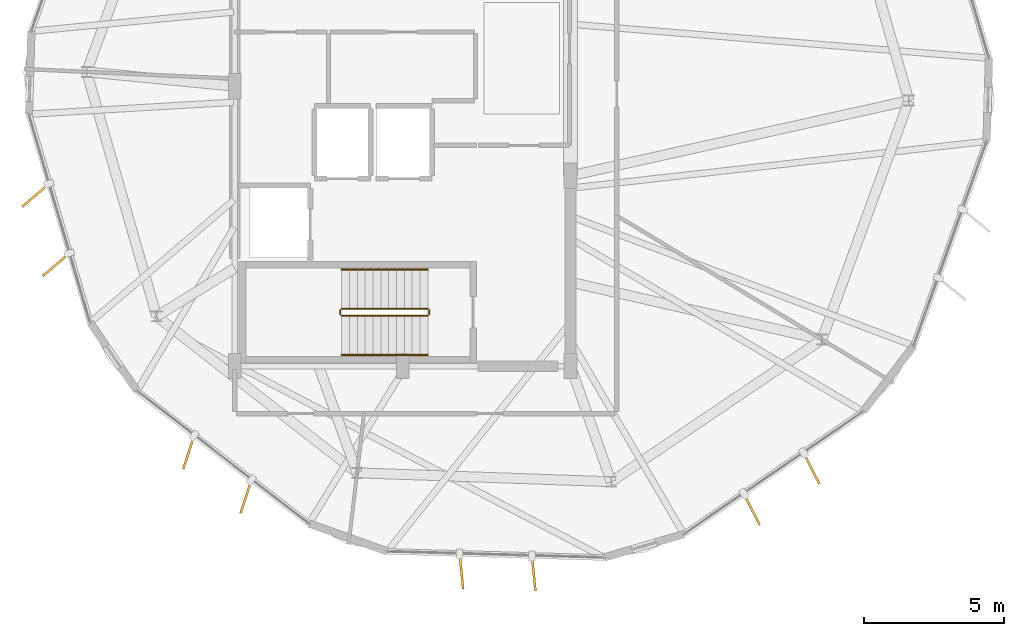
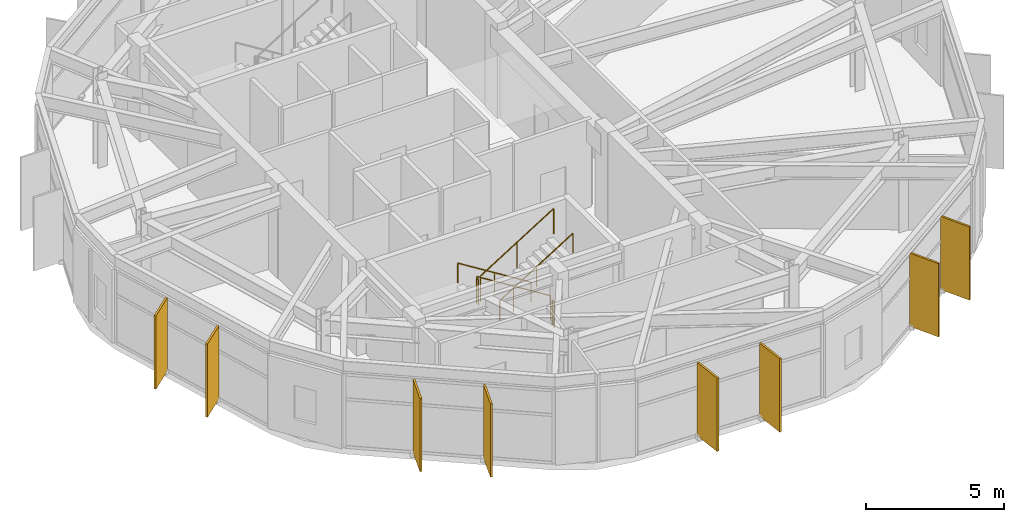
# One storey, part 18 of 20: 8 shading devices, 6 railings.
"""IFC4 building model written with IfcOpenShell, lengths in metres."""

from ifc_helpers import new_model, si_unit, direction, frame, origin, origin_2d, place, context, subcontext, project, spatial, rectangle, circle, extrude, material, layer, layer_set, type_object, element, save


model = new_model("IFC4")

# Units and contexts
model_context = context("Model", 3, precision=1e-05, world=origin(), true_north=direction((0.0, 1.0)))
body_context = subcontext(model_context, "Body", "Model", "MODEL_VIEW")
ifc_project = project(units=[si_unit("LENGTHUNIT", "METRE"), si_unit("AREAUNIT", "SQUARE_METRE"), si_unit("VOLUMEUNIT", "CUBIC_METRE"), si_unit("PLANEANGLEUNIT", "RADIAN"), si_unit("MASSUNIT", "GRAM", prefix="KILO")], contexts=[model_context])

# Site, building, storey
site_placement = place(None, origin())
site = spatial("IfcSite", under=ifc_project, at=site_placement, CompositionType="ELEMENT")
building_placement = place(site_placement, origin())
building = spatial("IfcBuilding", under=site, at=building_placement, Name="Soratama Intermodal Tower", CompositionType="ELEMENT")
storey_placement = place(building_placement, frame((0.0, 0.0, 293.050048828125)))
storey = spatial("IfcBuildingStorey", under=building, at=storey_placement, Name="L74", CompositionType="ELEMENT", Elevation=293.050048828125)

# Railings
ifc_material_1 = material(Name="Painted steel stair guardrail", Category="steel")
railing_type_1 = type_object("IfcRailingType", Name="RL-STAIR-GUARD", PredefinedType="GUARDRAIL", material=ifc_material_1)
railing_1_placement = place(storey_placement, frame((39.5, 17.050048828125, 0.175048828125)))
element("IfcRailing", 1, at=railing_1_placement, inside=storey, type_object=railing_type_1, Name="L74 ST-1 stair guard 1", PredefinedType="GUARDRAIL", context=body_context, shape_type="SweptSolid", body=[
    extrude(circle(Radius=0.02392578125, at=origin_2d()), frame((0.0, 0.0, 1.1259765625), z_axis=(-0.848028513186, 0.0, 0.529950602248), x_axis=(0.0, -1.0, 0.0)), (0.0, 0.0, 1.0), 3.632080078125),
    extrude(circle(Radius=0.02099609375, at=origin_2d()), origin(), (0.0, 0.0, 1.0), 1.101806640625),
    extrude(circle(Radius=0.02099609375, at=origin_2d()), frame((-1.5400390625, 0.0, 0.96240234375)), (0.0, 0.0, 1.0), 1.101806640625),
    extrude(circle(Radius=0.02099609375, at=origin_2d()), frame((-3.080078125, 0.0, 1.9248046875)), (0.0, 0.0, 1.0), 1.101806640625),
])
railing_2_placement = place(storey_placement, frame((36.3701171875, 17.0, 2.099853515625)))
element("IfcRailing", 2, at=railing_2_placement, inside=storey, type_object=railing_type_1, Name="L74 ST-1 stair guard 2", PredefinedType="GUARDRAIL", context=body_context, shape_type="SweptSolid", body=[
    extrude(circle(Radius=0.02392578125, at=origin_2d()), frame((0.0, 0.0, 1.1259765625), z_axis=(0.0, -1.0, 0.0), x_axis=(1.0, 0.0, 0.0)), (0.0, 0.0, 1.0), 0.14990234375),
    extrude(circle(Radius=0.02099609375, at=origin_2d()), origin(), (0.0, 0.0, 1.0), 1.101806640625),
    extrude(circle(Radius=0.02099609375, at=origin_2d()), frame((0.0, -0.14990234375, 0.0)), (0.0, 0.0, 1.0), 1.101806640625),
])
railing_3_placement = place(storey_placement, frame((36.419921875, 16.800048828125, 2.27490234375)))
element("IfcRailing", 3, at=railing_3_placement, inside=storey, type_object=railing_type_1, Name="L74 ST-1 stair guard 3", PredefinedType="GUARDRAIL", context=body_context, shape_type="SweptSolid", body=[
    extrude(circle(Radius=0.02392578125, at=origin_2d()), frame((0.0, 0.0, 1.1259765625), z_axis=(0.847998304005, 0.0, 0.529998940003), x_axis=(0.0, 1.0, 0.0)), (0.0, 0.0, 1.0), 3.632080078125),
    extrude(circle(Radius=0.02099609375, at=origin_2d()), origin(), (0.0, 0.0, 1.0), 1.101806640625),
    extrude(circle(Radius=0.02099609375, at=origin_2d()), frame((1.5400390625, 0.0, 0.96240234375)), (0.0, 0.0, 1.0), 1.101806640625),
    extrude(circle(Radius=0.02099609375, at=origin_2d()), frame((3.080078125, 0.0, 1.925048828125)), (0.0, 0.0, 1.0), 1.101806640625),
])
railing_4_placement = place(storey_placement, frame((39.550048828125, 17.0, 0.0)))
element("IfcRailing", 4, at=railing_4_placement, inside=storey, type_object=railing_type_1, Name="L74 ST-1 stair guard 4", PredefinedType="GUARDRAIL", context=body_context, shape_type="SweptSolid", body=[
    extrude(circle(Radius=0.02392578125, at=origin_2d()), frame((0.0, 0.0, 1.1259765625), z_axis=(0.0, -1.0, 0.0), x_axis=(1.0, 0.0, 0.0)), (0.0, 0.0, 1.0), 0.14990234375),
    extrude(circle(Radius=0.02099609375, at=origin_2d()), origin(), (0.0, 0.0, 1.0), 1.101806640625),
    extrude(circle(Radius=0.02099609375, at=origin_2d()), frame((0.0, -0.14990234375, 0.0)), (0.0, 0.0, 1.0), 1.101806640625),
])
ifc_material_2 = material(Name="Brushed stainless steel handrail", Category="steel")
railing_type_2 = type_object("IfcRailingType", Name="RL-STAIR-HAND", PredefinedType="HANDRAIL", material=ifc_material_2)
railing_5_placement = place(storey_placement, frame((39.5, 18.449951171875, 0.175048828125)))
element("IfcRailing", 5, at=railing_5_placement, inside=storey, type_object=railing_type_2, Name="L74 ST-1 stair handrail 1", PredefinedType="HANDRAIL", context=body_context, shape_type="SweptSolid", body=[
    extrude(circle(Radius=0.02392578125, at=origin_2d()), frame((0.0, 0.0, 0.8759765625), z_axis=(-0.848028513186, 0.0, 0.529950602248), x_axis=(0.0, -1.0, 0.0)), (0.0, 0.0, 1.0), 3.632080078125),
    extrude(circle(Radius=0.02099609375, at=origin_2d()), origin(), (0.0, 0.0, 1.0), 0.851806640625),
    extrude(circle(Radius=0.02099609375, at=origin_2d()), frame((-1.5400390625, 0.0, 0.96240234375)), (0.0, 0.0, 1.0), 0.851806640625),
    extrude(circle(Radius=0.02099609375, at=origin_2d()), frame((-3.080078125, 0.0, 1.9248046875)), (0.0, 0.0, 1.0), 0.851806640625),
])
railing_6_placement = place(storey_placement, frame((36.419921875, 15.39990234375, 2.27490234375)))
element("IfcRailing", 6, at=railing_6_placement, inside=storey, type_object=railing_type_2, Name="L74 ST-1 stair handrail 2", PredefinedType="HANDRAIL", context=body_context, shape_type="SweptSolid", body=[
    extrude(circle(Radius=0.02392578125, at=origin_2d()), frame((0.0, 0.0, 0.8759765625), z_axis=(0.847998304005, 0.0, 0.529998940003), x_axis=(0.0, 1.0, 0.0)), (0.0, 0.0, 1.0), 3.632080078125),
    extrude(circle(Radius=0.02099609375, at=origin_2d()), origin(), (0.0, 0.0, 1.0), 0.851806640625),
    extrude(circle(Radius=0.02099609375, at=origin_2d()), frame((1.5400390625, 0.0, 0.96240234375)), (0.0, 0.0, 1.0), 0.851806640625),
    extrude(circle(Radius=0.02099609375, at=origin_2d()), frame((3.080078125, 0.0, 1.925048828125)), (0.0, 0.0, 1.0), 0.851806640625),
])

# Shading devices
ifc_material_3 = material(Name="Champagne anodised aluminium solar fin", Category="aluminium")
ifc_layer = layer(ifc_material_3, 0.080078125)
ifc_layer_set = layer_set([ifc_layer], Name="Champagne anodised aluminium solar fin")
shading_device_type = type_object("IfcShadingDeviceType", Name="SH-FIN-1250", PredefinedType="USERDEFINED", material=ifc_layer_set)
for number, where, z_axis, x_axis, name in (
    (7, (25.48486328125, 21.102294921875, 0.02001953125), (0.0, 0.0, 1.0), (-0.761764497661, -0.647854034566, 0.0), "L74 Solar Fin F04-1"),
    (8, (26.214111328125, 18.62109375, 0.02001953125), (0.0, 0.0, 1.0), (-0.761764497661, -0.647854034566, 0.0), "L74 Solar Fin F04-2"),
    (9, (30.956787109375, 11.918212890625, 0.02001953125), (0.0, 0.0, 1.0), (-0.312334918512, -0.949972051525, 0.0), "L74 Solar Fin F05-1"),
    (10, (33.005126953125, 10.339599609375, 0.02001953125), (0.0, 0.0, 1.0), (-0.312334918512, -0.949972051525, 0.0), "L74 Solar Fin F05-2"),
    (11, (40.699462890625, 7.6630859375, 0.02001953125), (0.0, 0.0, 1.0), (0.101056297183, -0.994880708829, 0.0), "L74 Solar Fin F06-1"),
    (12, (43.284423828125, 7.58984375, 0.02001953125), (0.0, 0.0, 1.0), (0.101056297183, -0.994880708829, 0.0), "L74 Solar Fin F06-2"),
    (13, (51.0771484375, 9.88037109375, 0.02001953125), (0.0, 0.0, 1.0), (0.453368349255, -0.891323252189, 0.0), "L74 Solar Fin F07-1"),
    (14, (53.21142578125, 11.3408203125, 0.02001953125), (0.0, 0.0, 1.0), (0.453368349255, -0.891323252189, 0.0), "L74 Solar Fin F07-2"),
):
    element("IfcShadingDevice", number, at=place(storey_placement, frame(where, z_axis=z_axis, x_axis=x_axis)), inside=storey, type_object=shading_device_type, Name=name, ObjectType="FIN", PredefinedType="USERDEFINED", context=body_context, shape_type="SweptSolid", body=[
        extrude(rectangle(XDim=1.25, YDim=0.080078125, at=origin_2d()), origin(), (0.0, 0.0, 1.0), 3.25390625),
    ])

save(model, "model.ifc")
